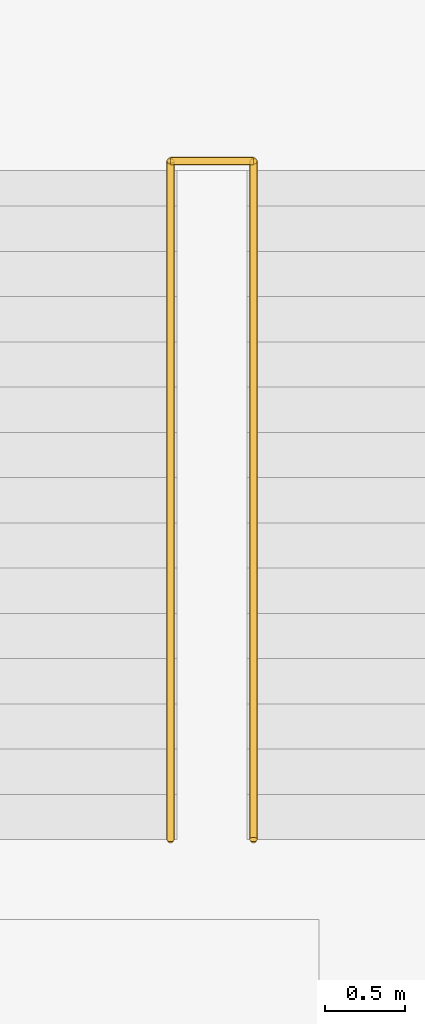
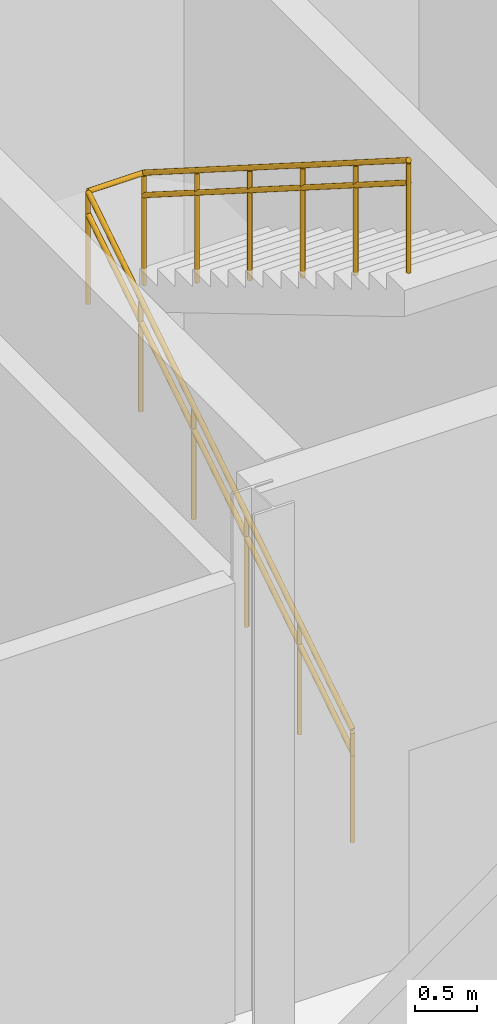
# One storey, part 83 of 87: 5 railings.
"""IFC4 building model written with IfcOpenShell, lengths in metres."""

import ifcopenshell
import ifcopenshell.guid

model = None  # the IFC model being written
_history = None  # IfcOwnerHistory: only IFC2X3 demands one
_inside = {}  # id of a spatial element -> (the spatial element, [elements in it])
_under = {}  # id of a project, library or spatial element -> (it, [spatial elements below it])
_declared = {}  # id of a project -> (the project, [libraries it declares])
_typed = {}  # id of a type object -> (the type object, [elements of that type])
_made_of = {}  # id of a material, layer set ... -> (it, [elements and type objects made of it])


def new_model(schema):
    """Start an empty IFC model of exactly this schema.

    Asked for "IFC4X3", IfcOpenShell would pick the latest addendum, in which some entities
    have other attributes; the version numbers below select the first issue.
    IFC2X3 requires an IfcOwnerHistory on every rooted entity: one is made here for all.
    """
    global model, _history
    if schema == "IFC4X3":
        model = ifcopenshell.file(schema_version=(4, 3, 0, 0))
    else:
        model = ifcopenshell.file(schema=schema)
    _inside.clear()
    _under.clear()
    _declared.clear()
    _typed.clear()
    _made_of.clear()
    _history = None
    if model.schema == "IFC2X3":
        org = make("IfcOrganization", Name="unknown")
        user = make(
            "IfcPersonAndOrganization",
            ThePerson=make("IfcPerson", FamilyName="unknown"),
            TheOrganization=org,
        )
        app = make(
            "IfcApplication",
            ApplicationDeveloper=org,
            Version="unknown",
            ApplicationFullName="unknown",
            ApplicationIdentifier="unknown",
        )
        _history = make(
            "IfcOwnerHistory",
            OwningUser=user,
            OwningApplication=app,
            ChangeAction="ADDED",
            CreationDate=0,
        )
    return model


def make(cls, **values):
    """One entity of the class cls with the attributes given. An attribute that is None is left unset."""
    return model.create_entity(
        cls, **{name: value for name, value in values.items() if value is not None}
    )


def rooted(cls, **values):
    """An entity with a GlobalId (a new one), such as an element, a storey or a relation."""
    return make(cls, GlobalId=ifcopenshell.guid.new(), OwnerHistory=_history, **values)


def si_unit(unit_type, name, prefix=None):
    """IfcSIUnit, for example si_unit("LENGTHUNIT", "METRE", prefix="MILLI")."""
    return make("IfcSIUnit", UnitType=unit_type, Prefix=prefix, Name=name)


def assignment(units):
    """IfcUnitAssignment: the units of a project."""
    return None if units is None else make("IfcUnitAssignment", Units=units)


def point(xyz):
    """IfcCartesianPoint."""
    return None if xyz is None else make("IfcCartesianPoint", Coordinates=xyz)


def direction(xyz):
    """IfcDirection."""
    return None if xyz is None else make("IfcDirection", DirectionRatios=xyz)


def frame(location, z_axis=None, x_axis=None):
    """IfcAxis2Placement3D, a coordinate frame: its origin and axes. An axis left out is left unset."""
    return make(
        "IfcAxis2Placement3D",
        Location=point(location),
        Axis=direction(z_axis),
        RefDirection=direction(x_axis),
    )


def frame_2d(location, x_axis=None):
    """IfcAxis2Placement2D, a coordinate frame in the plane: its origin and x axis."""
    return make(
        "IfcAxis2Placement2D", Location=point(location), RefDirection=direction(x_axis)
    )


def origin():
    """The frame at (0, 0, 0) with its axes left unset."""
    return frame((0.0, 0.0, 0.0))


def origin_2d():
    """The frame at (0, 0) in the plane with its x axis left unset."""
    return frame_2d((0.0, 0.0))


def place(relative_to, where):
    """IfcLocalPlacement: puts the frame where relative to a parent placement (None: the world)."""
    return make(
        "IfcLocalPlacement", PlacementRelTo=relative_to, RelativePlacement=where
    )


def context(
    kind, dimensions, precision=None, world=None, true_north=None, identifier=None
):
    """IfcGeometricRepresentationContext, for example the 3D "Model" context."""
    return make(
        "IfcGeometricRepresentationContext",
        ContextIdentifier=identifier,
        ContextType=kind,
        CoordinateSpaceDimension=dimensions,
        Precision=precision,
        WorldCoordinateSystem=world,
        TrueNorth=true_north,
    )


def subcontext(parent, identifier, kind, view, scale=None):
    """IfcGeometricRepresentationSubContext, for example "Body" below "Model"."""
    return make(
        "IfcGeometricRepresentationSubContext",
        ContextIdentifier=identifier,
        ContextType=kind,
        ParentContext=parent,
        TargetScale=scale,
        TargetView=view,
    )


def project(units=None, contexts=None):
    """IfcProject with its units and contexts."""
    return rooted(
        "IfcProject",
        Name="project",
        RepresentationContexts=contexts,
        UnitsInContext=assignment(units),
    )


def spatial(cls, under=None, at=None, **own):
    """A site, building, storey or space (cls), placed at a placement, below another one or the project."""
    s = rooted(cls, ObjectPlacement=at, **own)
    if under is not None:
        _under.setdefault(under.id(), (under, []))[1].append(s)
    return s


def profile(cls, at=None, kind="AREA", **sizes):
    """A parametric profile (cls). Its sizes go by their IFC names, for example OverallWidth=200.0."""
    return make(cls, ProfileType=kind, Position=at, **sizes)


def circle(**sizes):
    """IfcCircleProfileDef."""
    return profile("IfcCircleProfileDef", **sizes)


def extrude(swept, where, along, depth):
    """IfcExtrudedAreaSolid: the profile swept, set in the frame where, extruded along a direction by depth."""
    return make(
        "IfcExtrudedAreaSolid",
        SweptArea=swept,
        Position=where,
        ExtrudedDirection=direction(along),
        Depth=depth,
    )


def shape(context_of_items, identifier, shape_type, items):
    """IfcShapeRepresentation: the items that make up one representation, for example the "Body"."""
    return make(
        "IfcShapeRepresentation",
        ContextOfItems=context_of_items,
        RepresentationIdentifier=identifier,
        RepresentationType=shape_type,
        Items=items,
    )


def material(Name=None, Category=None):
    """IfcMaterial."""
    return make("IfcMaterial", Name=Name, Category=Category)


def made_of(thing, what):
    """Note that an element or type object is made of a material, layer set ...; save() writes the relation."""
    if what is not None:
        _made_of.setdefault(what.id(), (what, []))[1].append(thing)
    return thing


def type_object(cls, material=None, **own):
    """A type object (cls), such as IfcWallType, which elements share."""
    return made_of(rooted(cls, **own), material)


def element(
    cls,
    number,
    at=None,
    inside=None,
    cuts=None,
    type_object=None,
    material=None,
    context=None,
    identifier="Body",
    shape_type=None,
    held_by="IfcProductDefinitionShape",
    body=None,
    shapes=None,
    **own,
):
    """One element of the class cls, such as IfcWall. Its Tag is "e" and its number.

    at: its placement. inside: the storey or other place that contains it. cuts: it is an
    opening in that element (IfcRelVoidsElement). A single representation is given by context,
    identifier, shape_type and body (its items); several are given by shapes. held_by: the class
    of the entity that holds the representations. save() writes the other relations.
    """
    e = rooted(cls, Tag="e%d" % number, ObjectPlacement=at, **own)
    if body is not None:
        shapes = [shape(context, identifier, shape_type, body)]
    if shapes is not None:
        e.Representation = make(held_by, Representations=shapes)
    if inside is not None:
        _inside.setdefault(inside.id(), (inside, []))[1].append(e)
    if cuts is not None:
        rooted(
            "IfcRelVoidsElement", RelatingBuildingElement=cuts, RelatedOpeningElement=e
        )
    if type_object is not None:
        _typed.setdefault(type_object.id(), (type_object, []))[1].append(e)
    return made_of(e, material)


def aggregate(whole, parts):
    """IfcRelAggregates: a whole, such as a stair, and the parts it consists of."""
    return rooted("IfcRelAggregates", RelatingObject=whole, RelatedObjects=parts)


def save(model, path):
    """Write the relations noted so far, then the file.

    IfcRelAggregates (storeys below a building ...), IfcRelContainedInSpatialStructure (elements
    in a storey), IfcRelDefinesByType, IfcRelAssociatesMaterial and IfcRelDeclares: one each for
    every whole, place, type object, material and project.
    """
    for whole, parts in _under.values():
        aggregate(whole, parts)
    for where, things in _inside.values():
        rooted(
            "IfcRelContainedInSpatialStructure",
            RelatedElements=things,
            RelatingStructure=where,
        )
    for kind, things in _typed.values():
        rooted("IfcRelDefinesByType", RelatedObjects=things, RelatingType=kind)
    for what, things in _made_of.values():
        rooted("IfcRelAssociatesMaterial", RelatedObjects=things, RelatingMaterial=what)
    for by, libraries in _declared.values():
        rooted("IfcRelDeclares", RelatingContext=by, RelatedDefinitions=libraries)
    model.write(path)


model = new_model("IFC4")

# Units and contexts
model_context = context("Model", 3, precision=1e-05, world=origin(), true_north=direction((0.0, 1.0)))
body_context = subcontext(model_context, "Body", "Model", "MODEL_VIEW")
ifc_project = project(units=[si_unit("LENGTHUNIT", "METRE"), si_unit("AREAUNIT", "SQUARE_METRE"), si_unit("VOLUMEUNIT", "CUBIC_METRE"), si_unit("PLANEANGLEUNIT", "RADIAN"), si_unit("MASSUNIT", "GRAM", prefix="KILO")], contexts=[model_context])

# Site, building, storey
site_placement = place(None, origin())
site = spatial("IfcSite", under=ifc_project, at=site_placement, CompositionType="ELEMENT")
building_placement = place(site_placement, origin())
building = spatial("IfcBuilding", under=site, at=building_placement, Name="Brisemont Oceanarium", CompositionType="ELEMENT")
storey_placement = place(building_placement, origin())
storey = spatial("IfcBuildingStorey", under=building, at=storey_placement, Name="L00", CompositionType="ELEMENT", Elevation=0.0)

# Railings
ifc_material_1 = material(Name="Duplex Stainless Steel EN 1.4462", Category="steel")
railing_type_1 = type_object("IfcRailingType", Name="RLG-GUARD-1120", PredefinedType="GUARDRAIL", material=ifc_material_1)
railing_1_placement = place(storey_placement, frame((121.8701171875, 57.800048828125, 0.0)))
element("IfcRailing", 1, at=railing_1_placement, inside=storey, type_object=railing_type_1, Name="ST-06 L00 F1 well guard", PredefinedType="GUARDRAIL", context=body_context, shape_type="SweptSolid", body=[
    extrude(circle(Radius=0.02392578125, at=origin_2d()), frame((0.0, 0.0, 1.09619140625), z_axis=(0.0, 0.84407452441, 0.536225882666), x_axis=(-1.0, 0.0, 0.0)), (0.0, 0.0, 1.0), 5.03515625),
    extrude(circle(Radius=0.02099609375, at=origin_2d()), origin(), (0.0, 0.0, 1.0), 1.072021484375),
    extrude(circle(Radius=0.02099609375, at=origin_2d()), frame((0.0, 0.85009765625, 0.5400390625)), (0.0, 0.0, 1.0), 1.072021484375),
    extrude(circle(Radius=0.02099609375, at=origin_2d()), frame((0.0, 1.699951171875, 1.080078125)), (0.0, 0.0, 1.0), 1.072021484375),
    extrude(circle(Radius=0.02099609375, at=origin_2d()), frame((0.0, 2.550048828125, 1.619873046875)), (0.0, 0.0, 1.0), 1.072021484375),
    extrude(circle(Radius=0.02099609375, at=origin_2d()), frame((0.0, 3.39990234375, 2.159912109375)), (0.0, 0.0, 1.0), 1.072021484375),
    extrude(circle(Radius=0.02099609375, at=origin_2d()), frame((0.0, 4.25, 2.699951171875)), (0.0, 0.0, 1.0), 1.072021484375),
])
railing_2_placement = place(storey_placement, frame((122.389892578125, 62.050048828125, 2.699951171875)))
element("IfcRailing", 2, at=railing_2_placement, inside=storey, type_object=railing_type_1, Name="ST-06 L00 F2 well guard", PredefinedType="GUARDRAIL", context=body_context, shape_type="SweptSolid", body=[
    extrude(circle(Radius=0.02392578125, at=origin_2d()), frame((0.0, 0.0, 1.09619140625), z_axis=(0.0, -0.84407452441, 0.536225882666), x_axis=(1.0, 0.0, 0.0)), (0.0, 0.0, 1.0), 5.03515625),
    extrude(circle(Radius=0.02099609375, at=origin_2d()), origin(), (0.0, 0.0, 1.0), 1.072021484375),
    extrude(circle(Radius=0.02099609375, at=origin_2d()), frame((0.0, -0.85009765625, 0.5400390625)), (0.0, 0.0, 1.0), 1.072021484375),
    extrude(circle(Radius=0.02099609375, at=origin_2d()), frame((0.0, -1.699951171875, 1.080078125)), (0.0, 0.0, 1.0), 1.072021484375),
    extrude(circle(Radius=0.02099609375, at=origin_2d()), frame((0.0, -2.550048828125, 1.619873046875)), (0.0, 0.0, 1.0), 1.072021484375),
    extrude(circle(Radius=0.02099609375, at=origin_2d()), frame((0.0, -3.39990234375, 2.159912109375)), (0.0, 0.0, 1.0), 1.072021484375),
    extrude(circle(Radius=0.02099609375, at=origin_2d()), frame((0.0, -4.25, 2.699951171875)), (0.0, 0.0, 1.0), 1.072021484375),
])
railing_3_placement = place(storey_placement, frame((121.8701171875, 62.050048828125, 2.699951171875)))
element("IfcRailing", 3, at=railing_3_placement, inside=storey, type_object=railing_type_1, Name="ST-06 L00 landing slot guard", PredefinedType="GUARDRAIL", context=body_context, shape_type="SweptSolid", body=[
    extrude(circle(Radius=0.02392578125, at=origin_2d()), frame((0.0, 0.0, 1.09619140625), z_axis=(1.0, 0.0, 0.0), x_axis=(0.0, 1.0, 0.0)), (0.0, 0.0, 1.0), 0.519775390625),
    extrude(circle(Radius=0.02099609375, at=origin_2d()), origin(), (0.0, 0.0, 1.0), 1.072021484375),
    extrude(circle(Radius=0.02099609375, at=origin_2d()), frame((0.519775390625, 0.0, 0.0)), (0.0, 0.0, 1.0), 1.072021484375),
])
ifc_material_2 = material(Name="Duplex Stainless Steel EN 1.4462", Category="steel")
railing_type_2 = type_object("IfcRailingType", Name="RLG-HAND-900", PredefinedType="HANDRAIL", material=ifc_material_2)
railing_4_placement = place(storey_placement, frame((121.8701171875, 57.800048828125, 0.0)))
element("IfcRailing", 4, at=railing_4_placement, inside=storey, type_object=railing_type_2, Name="ST-06 L00 F1 handrail", PredefinedType="HANDRAIL", context=body_context, shape_type="SweptSolid", body=[
    extrude(circle(Radius=0.02392578125, at=origin_2d()), frame((0.0, 0.0, 0.8759765625), z_axis=(0.0, 0.84407452441, 0.536225882666), x_axis=(-1.0, 0.0, 0.0)), (0.0, 0.0, 1.0), 5.03515625),
    extrude(circle(Radius=0.02099609375, at=origin_2d()), origin(), (0.0, 0.0, 1.0), 0.851806640625),
    extrude(circle(Radius=0.02099609375, at=origin_2d()), frame((0.0, 0.85009765625, 0.5400390625)), (0.0, 0.0, 1.0), 0.851806640625),
    extrude(circle(Radius=0.02099609375, at=origin_2d()), frame((0.0, 1.699951171875, 1.080078125)), (0.0, 0.0, 1.0), 0.851806640625),
    extrude(circle(Radius=0.02099609375, at=origin_2d()), frame((0.0, 2.550048828125, 1.619873046875)), (0.0, 0.0, 1.0), 0.851806640625),
    extrude(circle(Radius=0.02099609375, at=origin_2d()), frame((0.0, 3.39990234375, 2.159912109375)), (0.0, 0.0, 1.0), 0.851806640625),
    extrude(circle(Radius=0.02099609375, at=origin_2d()), frame((0.0, 4.25, 2.699951171875)), (0.0, 0.0, 1.0), 0.851806640625),
])
railing_5_placement = place(storey_placement, frame((122.389892578125, 62.050048828125, 2.699951171875)))
element("IfcRailing", 5, at=railing_5_placement, inside=storey, type_object=railing_type_2, Name="ST-06 L00 F2 handrail", PredefinedType="HANDRAIL", context=body_context, shape_type="SweptSolid", body=[
    extrude(circle(Radius=0.02392578125, at=origin_2d()), frame((0.0, 0.0, 0.8759765625), z_axis=(0.0, -0.84407452441, 0.536225882666), x_axis=(1.0, 0.0, 0.0)), (0.0, 0.0, 1.0), 5.03515625),
    extrude(circle(Radius=0.02099609375, at=origin_2d()), origin(), (0.0, 0.0, 1.0), 0.851806640625),
    extrude(circle(Radius=0.02099609375, at=origin_2d()), frame((0.0, -0.85009765625, 0.5400390625)), (0.0, 0.0, 1.0), 0.851806640625),
    extrude(circle(Radius=0.02099609375, at=origin_2d()), frame((0.0, -1.699951171875, 1.080078125)), (0.0, 0.0, 1.0), 0.851806640625),
    extrude(circle(Radius=0.02099609375, at=origin_2d()), frame((0.0, -2.550048828125, 1.619873046875)), (0.0, 0.0, 1.0), 0.851806640625),
    extrude(circle(Radius=0.02099609375, at=origin_2d()), frame((0.0, -3.39990234375, 2.159912109375)), (0.0, 0.0, 1.0), 0.851806640625),
    extrude(circle(Radius=0.02099609375, at=origin_2d()), frame((0.0, -4.25, 2.699951171875)), (0.0, 0.0, 1.0), 0.851806640625),
])

save(model, "model.ifc")
